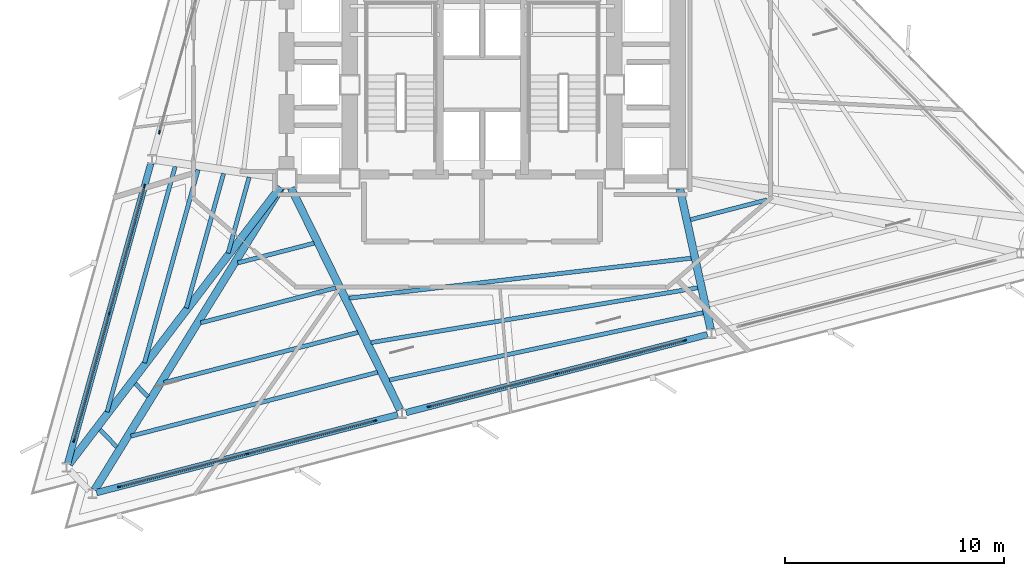
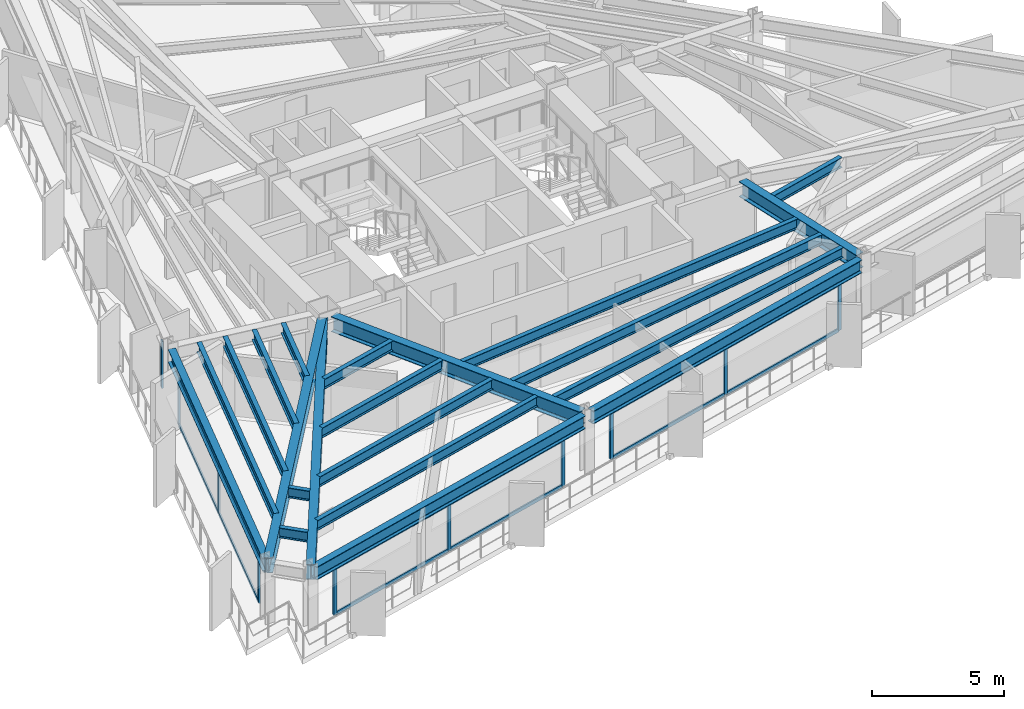
# One storey, part 2 of 11: 22 members, 21 beams, 4 elements without a shape of their own.
"""IFC4 building model written with IfcOpenShell, lengths in metres."""

import ifcopenshell
import ifcopenshell.guid

model = None  # the IFC model being written
_history = None  # IfcOwnerHistory: only IFC2X3 demands one
_inside = {}  # id of a spatial element -> (the spatial element, [elements in it])
_under = {}  # id of a project, library or spatial element -> (it, [spatial elements below it])
_declared = {}  # id of a project -> (the project, [libraries it declares])
_typed = {}  # id of a type object -> (the type object, [elements of that type])
_made_of = {}  # id of a material, layer set ... -> (it, [elements and type objects made of it])


def new_model(schema):
    """Start an empty IFC model of exactly this schema.

    Asked for "IFC4X3", IfcOpenShell would pick the latest addendum, in which some entities
    have other attributes; the version numbers below select the first issue.
    IFC2X3 requires an IfcOwnerHistory on every rooted entity: one is made here for all.
    """
    global model, _history
    if schema == "IFC4X3":
        model = ifcopenshell.file(schema_version=(4, 3, 0, 0))
    else:
        model = ifcopenshell.file(schema=schema)
    _inside.clear()
    _under.clear()
    _declared.clear()
    _typed.clear()
    _made_of.clear()
    _history = None
    if model.schema == "IFC2X3":
        org = make("IfcOrganization", Name="unknown")
        user = make(
            "IfcPersonAndOrganization",
            ThePerson=make("IfcPerson", FamilyName="unknown"),
            TheOrganization=org,
        )
        app = make(
            "IfcApplication",
            ApplicationDeveloper=org,
            Version="unknown",
            ApplicationFullName="unknown",
            ApplicationIdentifier="unknown",
        )
        _history = make(
            "IfcOwnerHistory",
            OwningUser=user,
            OwningApplication=app,
            ChangeAction="ADDED",
            CreationDate=0,
        )
    return model


def make(cls, **values):
    """One entity of the class cls with the attributes given. An attribute that is None is left unset."""
    return model.create_entity(
        cls, **{name: value for name, value in values.items() if value is not None}
    )


def rooted(cls, **values):
    """An entity with a GlobalId (a new one), such as an element, a storey or a relation."""
    return make(cls, GlobalId=ifcopenshell.guid.new(), OwnerHistory=_history, **values)


def si_unit(unit_type, name, prefix=None):
    """IfcSIUnit, for example si_unit("LENGTHUNIT", "METRE", prefix="MILLI")."""
    return make("IfcSIUnit", UnitType=unit_type, Prefix=prefix, Name=name)


def assignment(units):
    """IfcUnitAssignment: the units of a project."""
    return None if units is None else make("IfcUnitAssignment", Units=units)


def point(xyz):
    """IfcCartesianPoint."""
    return None if xyz is None else make("IfcCartesianPoint", Coordinates=xyz)


def direction(xyz):
    """IfcDirection."""
    return None if xyz is None else make("IfcDirection", DirectionRatios=xyz)


def frame(location, z_axis=None, x_axis=None):
    """IfcAxis2Placement3D, a coordinate frame: its origin and axes. An axis left out is left unset."""
    return make(
        "IfcAxis2Placement3D",
        Location=point(location),
        Axis=direction(z_axis),
        RefDirection=direction(x_axis),
    )


def frame_2d(location, x_axis=None):
    """IfcAxis2Placement2D, a coordinate frame in the plane: its origin and x axis."""
    return make(
        "IfcAxis2Placement2D", Location=point(location), RefDirection=direction(x_axis)
    )


def origin():
    """The frame at (0, 0, 0) with its axes left unset."""
    return frame((0.0, 0.0, 0.0))


def origin_2d():
    """The frame at (0, 0) in the plane with its x axis left unset."""
    return frame_2d((0.0, 0.0))


def place(relative_to, where):
    """IfcLocalPlacement: puts the frame where relative to a parent placement (None: the world)."""
    return make(
        "IfcLocalPlacement", PlacementRelTo=relative_to, RelativePlacement=where
    )


def context(
    kind, dimensions, precision=None, world=None, true_north=None, identifier=None
):
    """IfcGeometricRepresentationContext, for example the 3D "Model" context."""
    return make(
        "IfcGeometricRepresentationContext",
        ContextIdentifier=identifier,
        ContextType=kind,
        CoordinateSpaceDimension=dimensions,
        Precision=precision,
        WorldCoordinateSystem=world,
        TrueNorth=true_north,
    )


def subcontext(parent, identifier, kind, view, scale=None):
    """IfcGeometricRepresentationSubContext, for example "Body" below "Model"."""
    return make(
        "IfcGeometricRepresentationSubContext",
        ContextIdentifier=identifier,
        ContextType=kind,
        ParentContext=parent,
        TargetScale=scale,
        TargetView=view,
    )


def project(units=None, contexts=None):
    """IfcProject with its units and contexts."""
    return rooted(
        "IfcProject",
        Name="project",
        RepresentationContexts=contexts,
        UnitsInContext=assignment(units),
    )


def spatial(cls, under=None, at=None, **own):
    """A site, building, storey or space (cls), placed at a placement, below another one or the project."""
    s = rooted(cls, ObjectPlacement=at, **own)
    if under is not None:
        _under.setdefault(under.id(), (under, []))[1].append(s)
    return s


def profile(cls, at=None, kind="AREA", **sizes):
    """A parametric profile (cls). Its sizes go by their IFC names, for example OverallWidth=200.0."""
    return make(cls, ProfileType=kind, Position=at, **sizes)


def rectangle(**sizes):
    """IfcRectangleProfileDef."""
    return profile("IfcRectangleProfileDef", **sizes)


def i_section(**sizes):
    """IfcIShapeProfileDef."""
    return profile("IfcIShapeProfileDef", **sizes)


def extrude(swept, where, along, depth):
    """IfcExtrudedAreaSolid: the profile swept, set in the frame where, extruded along a direction by depth."""
    return make(
        "IfcExtrudedAreaSolid",
        SweptArea=swept,
        Position=where,
        ExtrudedDirection=direction(along),
        Depth=depth,
    )


def shape(context_of_items, identifier, shape_type, items):
    """IfcShapeRepresentation: the items that make up one representation, for example the "Body"."""
    return make(
        "IfcShapeRepresentation",
        ContextOfItems=context_of_items,
        RepresentationIdentifier=identifier,
        RepresentationType=shape_type,
        Items=items,
    )


def material(Name=None, Category=None):
    """IfcMaterial."""
    return make("IfcMaterial", Name=Name, Category=Category)


def layer(
    of_material, thickness, ventilated=None, Name=None, Category=None, Priority=None
):
    """IfcMaterialLayer: one layer of a wall or slab, of a material (None: an air gap)."""
    return make(
        "IfcMaterialLayer",
        Material=of_material,
        LayerThickness=thickness,
        IsVentilated=ventilated,
        Name=Name,
        Category=Category,
        Priority=Priority,
    )


def layer_set(layers, Name=None):
    """IfcMaterialLayerSet."""
    return make("IfcMaterialLayerSet", MaterialLayers=layers, LayerSetName=Name)


def material_profile(
    of_material, cross_section, Name=None, Category=None, Priority=None
):
    """IfcMaterialProfile: a cross section and its material."""
    return make(
        "IfcMaterialProfile",
        Name=Name,
        Material=of_material,
        Profile=cross_section,
        Priority=Priority,
        Category=Category,
    )


def profile_set(profiles, Name=None, composite=None):
    """IfcMaterialProfileSet."""
    return make(
        "IfcMaterialProfileSet",
        Name=Name,
        MaterialProfiles=profiles,
        CompositeProfile=composite,
    )


def made_of(thing, what):
    """Note that an element or type object is made of a material, layer set ...; save() writes the relation."""
    if what is not None:
        _made_of.setdefault(what.id(), (what, []))[1].append(thing)
    return thing


def type_object(cls, material=None, **own):
    """A type object (cls), such as IfcWallType, which elements share."""
    return made_of(rooted(cls, **own), material)


def element(
    cls,
    number,
    at=None,
    inside=None,
    cuts=None,
    type_object=None,
    material=None,
    context=None,
    identifier="Body",
    shape_type=None,
    held_by="IfcProductDefinitionShape",
    body=None,
    shapes=None,
    **own,
):
    """One element of the class cls, such as IfcWall. Its Tag is "e" and its number.

    at: its placement. inside: the storey or other place that contains it. cuts: it is an
    opening in that element (IfcRelVoidsElement). A single representation is given by context,
    identifier, shape_type and body (its items); several are given by shapes. held_by: the class
    of the entity that holds the representations. save() writes the other relations.
    """
    e = rooted(cls, Tag="e%d" % number, ObjectPlacement=at, **own)
    if body is not None:
        shapes = [shape(context, identifier, shape_type, body)]
    if shapes is not None:
        e.Representation = make(held_by, Representations=shapes)
    if inside is not None:
        _inside.setdefault(inside.id(), (inside, []))[1].append(e)
    if cuts is not None:
        rooted(
            "IfcRelVoidsElement", RelatingBuildingElement=cuts, RelatedOpeningElement=e
        )
    if type_object is not None:
        _typed.setdefault(type_object.id(), (type_object, []))[1].append(e)
    return made_of(e, material)


def aggregate(whole, parts):
    """IfcRelAggregates: a whole, such as a stair, and the parts it consists of."""
    return rooted("IfcRelAggregates", RelatingObject=whole, RelatedObjects=parts)


def save(model, path):
    """Write the relations noted so far, then the file.

    IfcRelAggregates (storeys below a building ...), IfcRelContainedInSpatialStructure (elements
    in a storey), IfcRelDefinesByType, IfcRelAssociatesMaterial and IfcRelDeclares: one each for
    every whole, place, type object, material and project.
    """
    for whole, parts in _under.values():
        aggregate(whole, parts)
    for where, things in _inside.values():
        rooted(
            "IfcRelContainedInSpatialStructure",
            RelatedElements=things,
            RelatingStructure=where,
        )
    for kind, things in _typed.values():
        rooted("IfcRelDefinesByType", RelatedObjects=things, RelatingType=kind)
    for what, things in _made_of.values():
        rooted("IfcRelAssociatesMaterial", RelatedObjects=things, RelatingMaterial=what)
    for by, libraries in _declared.values():
        rooted("IfcRelDeclares", RelatingContext=by, RelatedDefinitions=libraries)
    model.write(path)


model = new_model("IFC4")

# Units and contexts
model_context = context("Model", 3, precision=1e-05, world=origin(), true_north=direction((0.0, 1.0)))
body_context = subcontext(model_context, "Body", "Model", "MODEL_VIEW")
ifc_project = project(units=[si_unit("LENGTHUNIT", "METRE"), si_unit("AREAUNIT", "SQUARE_METRE"), si_unit("VOLUMEUNIT", "CUBIC_METRE"), si_unit("PLANEANGLEUNIT", "RADIAN"), si_unit("MASSUNIT", "GRAM", prefix="KILO")], contexts=[model_context])

# Site, building, storey
site_placement = place(None, origin())
site = spatial("IfcSite", under=ifc_project, at=site_placement, CompositionType="ELEMENT")
building_placement = place(site_placement, origin())
building = spatial("IfcBuilding", under=site, at=building_placement, Name="Rocaltana Carrier Exchange", CompositionType="ELEMENT")
storey_placement = place(building_placement, frame((0.0, 0.0, 91.679931640625)))
storey = spatial("IfcBuildingStorey", under=building, at=storey_placement, Name="L28", CompositionType="ELEMENT", Elevation=91.679931640625)

# Curtain wall, member
ifc_material_1 = material(Name="Aluminium 6063-T6", Category="aluminium")
ifc_layer = layer(ifc_material_1, 0.1650390625)
ifc_layer_set = layer_set([ifc_layer], Name="Aluminium 6063-T6")
curtain_wall_type = type_object("IfcCurtainWallType", Name="Lower-Mid Stepped Curtain Wall CW-02", PredefinedType="NOTDEFINED", material=ifc_layer_set)
curtain_wall_1_placement = place(storey_placement, origin())
curtain_wall_1 = element("IfcCurtainWall", 1, at=curtain_wall_1_placement, inside=storey, type_object=curtain_wall_type, Name="L28 CW-02 Run CW-L28-F2S2", PredefinedType="NOTDEFINED")
ifc_material_2 = material(Name="Aluminium 6063-T6", Category="aluminium")
ifc_material_profile_1 = material_profile(ifc_material_2, rectangle(XDim=0.06494140625, YDim=0.1650390625, at=origin_2d()), Name="AL-65X165")
ifc_profile_set_1 = profile_set([ifc_material_profile_1], Name="Aluminium 6063-T6")
member_type_1 = type_object("IfcMemberType", Name="CW-02 Mullion AL-65X165", PredefinedType="MULLION", material=ifc_profile_set_1)
member_1_placement = place(storey_placement, frame((-14.761962890625, -2.16796875, 0.0), z_axis=(0.0, 0.0, 1.0), x_axis=(0.963630586954, -0.267237893807, 0.0)))
member_1 = element("IfcMember", 2, at=member_1_placement, type_object=member_type_1, Name="CW-02 mullion 3", PredefinedType="MULLION", context=body_context, shape_type="SweptSolid", body=[
    extrude(rectangle(XDim=0.06494140625, YDim=0.1650390625, at=origin_2d()), origin(), (0.0, 0.0, 1.0), 2.16796875),
])
aggregate(curtain_wall_1, [member_1])

# Curtain wall, members
curtain_wall_2_placement = place(storey_placement, origin())
curtain_wall_2 = element("IfcCurtainWall", 3, at=curtain_wall_2_placement, inside=storey, type_object=curtain_wall_type, Name="L28 CW-02 Run CW-L28-F2S3", PredefinedType="NOTDEFINED")
member_2_placement = place(storey_placement, frame((-15.447265625, -4.6396484375, 0.0), z_axis=(0.0, 0.0, 1.0), x_axis=(0.963629053146, -0.267243424491, 0.0)))
member_2 = element("IfcMember", 4, at=member_2_placement, type_object=member_type_1, Name="CW-02 mullion 1", PredefinedType="MULLION", context=body_context, shape_type="SweptSolid", body=[
    extrude(rectangle(XDim=0.06494140625, YDim=0.1650390625, at=origin_2d()), origin(), (0.0, 0.0, 1.0), 2.16796875),
])
member_3_placement = place(storey_placement, frame((-17.059814453125, -10.45458984375, 0.0), z_axis=(0.0, 0.0, 1.0), x_axis=(0.963629053146, -0.267243424491, 0.0)))
member_3 = element("IfcMember", 5, at=member_3_placement, type_object=member_type_1, Name="CW-02 mullion 2", PredefinedType="MULLION", context=body_context, shape_type="SweptSolid", body=[
    extrude(rectangle(XDim=0.06494140625, YDim=0.1650390625, at=origin_2d()), origin(), (0.0, 0.0, 1.0), 2.16796875),
])
member_4_placement = place(storey_placement, frame((-18.672607421875, -16.269287109375, 0.0), z_axis=(0.0, 0.0, 1.0), x_axis=(0.963629053146, -0.267243424491, 0.0)))
member_4 = element("IfcMember", 6, at=member_4_placement, type_object=member_type_1, Name="CW-02 mullion 3", PredefinedType="MULLION", context=body_context, shape_type="SweptSolid", body=[
    extrude(rectangle(XDim=0.06494140625, YDim=0.1650390625, at=origin_2d()), origin(), (0.0, 0.0, 1.0), 2.16796875),
])

curtain_wall_3_placement = place(storey_placement, origin())
curtain_wall_3 = element("IfcCurtainWall", 7, at=curtain_wall_3_placement, inside=storey, type_object=curtain_wall_type, Name="L28 CW-02 Run CW-L28-F3S1", PredefinedType="NOTDEFINED")
member_5_placement = place(storey_placement, frame((-16.592529296875, -18.3857421875, 0.0), z_axis=(0.0, 0.0, 1.0), x_axis=(-0.250377760692, 0.968148220548, 0.0)))
member_5 = element("IfcMember", 8, at=member_5_placement, type_object=member_type_1, Name="CW-02 mullion 1", PredefinedType="MULLION", context=body_context, shape_type="SweptSolid", body=[
    extrude(rectangle(XDim=0.06494140625, YDim=0.1650390625, at=origin_2d()), origin(), (0.0, 0.0, 1.0), 2.16796875),
])
member_6_placement = place(storey_placement, frame((-10.75048828125, -16.874755859375, 0.0), z_axis=(0.0, 0.0, 1.0), x_axis=(-0.250377760692, 0.968148220548, 0.0)))
member_6 = element("IfcMember", 9, at=member_6_placement, type_object=member_type_1, Name="CW-02 mullion 2", PredefinedType="MULLION", context=body_context, shape_type="SweptSolid", body=[
    extrude(rectangle(XDim=0.06494140625, YDim=0.1650390625, at=origin_2d()), origin(), (0.0, 0.0, 1.0), 2.16796875),
])
member_7_placement = place(storey_placement, frame((-4.90869140625, -15.364013671875, 0.0), z_axis=(0.0, 0.0, 1.0), x_axis=(-0.250377760692, 0.968148220548, 0.0)))
member_7 = element("IfcMember", 10, at=member_7_placement, type_object=member_type_1, Name="CW-02 mullion 3", PredefinedType="MULLION", context=body_context, shape_type="SweptSolid", body=[
    extrude(rectangle(XDim=0.06494140625, YDim=0.1650390625, at=origin_2d()), origin(), (0.0, 0.0, 1.0), 2.16796875),
])

curtain_wall_4_placement = place(storey_placement, origin())
curtain_wall_4 = element("IfcCurtainWall", 11, at=curtain_wall_4_placement, inside=storey, type_object=curtain_wall_type, Name="L28 CW-02 Run CW-L28-F3S2", PredefinedType="NOTDEFINED")
member_8_placement = place(storey_placement, frame((-2.42529296875, -14.7216796875, 0.0), z_axis=(0.0, 0.0, 1.0), x_axis=(-0.250377760692, 0.968148220548, 0.0)))
member_8 = element("IfcMember", 12, at=member_8_placement, type_object=member_type_1, Name="CW-02 mullion 1", PredefinedType="MULLION", context=body_context, shape_type="SweptSolid", body=[
    extrude(rectangle(XDim=0.06494140625, YDim=0.1650390625, at=origin_2d()), origin(), (0.0, 0.0, 1.0), 2.16796875),
])
member_9_placement = place(storey_placement, frame((3.41650390625, -13.2109375, 0.0), z_axis=(0.0, 0.0, 1.0), x_axis=(-0.250377760692, 0.968148220548, 0.0)))
member_9 = element("IfcMember", 13, at=member_9_placement, type_object=member_type_1, Name="CW-02 mullion 2", PredefinedType="MULLION", context=body_context, shape_type="SweptSolid", body=[
    extrude(rectangle(XDim=0.06494140625, YDim=0.1650390625, at=origin_2d()), origin(), (0.0, 0.0, 1.0), 2.16796875),
])
member_10_placement = place(storey_placement, frame((9.258544921875, -11.7001953125, 0.0), z_axis=(0.0, 0.0, 1.0), x_axis=(-0.250377760692, 0.968148220548, 0.0)))
member_10 = element("IfcMember", 14, at=member_10_placement, type_object=member_type_1, Name="CW-02 mullion 3", PredefinedType="MULLION", context=body_context, shape_type="SweptSolid", body=[
    extrude(rectangle(XDim=0.06494140625, YDim=0.1650390625, at=origin_2d()), origin(), (0.0, 0.0, 1.0), 2.16796875),
])

# Member
ifc_material_3 = material(Name="Aluminium 6063-T6", Category="aluminium")
ifc_material_profile_2 = material_profile(ifc_material_3, rectangle(XDim=0.06494140625, YDim=0.1650390625, at=origin_2d()), Name="AL-65X165")
ifc_profile_set_2 = profile_set([ifc_material_profile_2], Name="Aluminium 6063-T6")
member_type_2 = type_object("IfcMemberType", Name="CW-02 Transom AL-65X165", PredefinedType="USERDEFINED", material=ifc_profile_set_2)
member_11_placement = place(storey_placement, frame((-15.4560546875, -4.671142578125, 0.032470703125), z_axis=(-0.26724725359, -0.963627991213, 0.0), x_axis=(0.963627991213, -0.26724725359, 0.0)))
member_11 = element("IfcMember", 15, at=member_11_placement, type_object=member_type_2, Name="CW-02 transom 1.1", ObjectType="TRANSOM", PredefinedType="USERDEFINED", context=body_context, shape_type="SweptSolid", body=[
    extrude(rectangle(XDim=0.06494140625, YDim=0.1650390625, at=origin_2d()), origin(), (0.0, 0.0, 1.0), 5.968994140625),
])

member_12_placement = place(storey_placement, frame((-15.4560546875, -4.671142578125, 2.135498046875), z_axis=(-0.26724725359, -0.963627991213, 0.0), x_axis=(0.963627991213, -0.26724725359, 0.0)))
member_12 = element("IfcMember", 16, at=member_12_placement, type_object=member_type_2, Name="CW-02 transom 1.2", ObjectType="TRANSOM", PredefinedType="USERDEFINED", context=body_context, shape_type="SweptSolid", body=[
    extrude(rectangle(XDim=0.06494140625, YDim=0.1650390625, at=origin_2d()), origin(), (0.0, 0.0, 1.0), 5.968994140625),
])

member_13_placement = place(storey_placement, frame((-17.068603515625, -10.48583984375, 0.032470703125), z_axis=(-0.267236720875, -0.963630912235, 0.0), x_axis=(0.963630912235, -0.267236720875, 0.0)))
member_13 = element("IfcMember", 17, at=member_13_placement, type_object=member_type_2, Name="CW-02 transom 2.1", ObjectType="TRANSOM", PredefinedType="USERDEFINED", context=body_context, shape_type="SweptSolid", body=[
    extrude(rectangle(XDim=0.06494140625, YDim=0.1650390625, at=origin_2d()), origin(), (0.0, 0.0, 1.0), 5.96923828125),
])

member_14_placement = place(storey_placement, frame((-17.068603515625, -10.48583984375, 2.135498046875), z_axis=(-0.267236720875, -0.963630912235, 0.0), x_axis=(0.963630912235, -0.267236720875, 0.0)))
member_14 = element("IfcMember", 18, at=member_14_placement, type_object=member_type_2, Name="CW-02 transom 2.2", ObjectType="TRANSOM", PredefinedType="USERDEFINED", context=body_context, shape_type="SweptSolid", body=[
    extrude(rectangle(XDim=0.06494140625, YDim=0.1650390625, at=origin_2d()), origin(), (0.0, 0.0, 1.0), 5.96923828125),
])

aggregate(curtain_wall_2, [member_2, member_3, member_4, member_11, member_12, member_13, member_14])

member_15_placement = place(storey_placement, frame((-16.56103515625, -18.37744140625, 0.032470703125), z_axis=(0.968154945337, 0.250351756175, 0.0), x_axis=(-0.250351756175, 0.968154945337, 0.0)))
member_15 = element("IfcMember", 19, at=member_15_placement, type_object=member_type_2, Name="CW-02 transom 1.1", ObjectType="TRANSOM", PredefinedType="USERDEFINED", context=body_context, shape_type="SweptSolid", body=[
    extrude(rectangle(XDim=0.06494140625, YDim=0.1650390625, at=origin_2d()), origin(), (0.0, 0.0, 1.0), 5.96923828125),
])

member_16_placement = place(storey_placement, frame((-16.56103515625, -18.37744140625, 2.135498046875), z_axis=(0.968154945337, 0.250351756175, 0.0), x_axis=(-0.250351756175, 0.968154945337, 0.0)))
member_16 = element("IfcMember", 20, at=member_16_placement, type_object=member_type_2, Name="CW-02 transom 1.2", ObjectType="TRANSOM", PredefinedType="USERDEFINED", context=body_context, shape_type="SweptSolid", body=[
    extrude(rectangle(XDim=0.06494140625, YDim=0.1650390625, at=origin_2d()), origin(), (0.0, 0.0, 1.0), 5.96923828125),
])

member_17_placement = place(storey_placement, frame((-10.71923828125, -16.86669921875, 0.032470703125), z_axis=(0.968145031253, 0.250390092575, 0.0), x_axis=(-0.250390092575, 0.968145031253, 0.0)))
member_17 = element("IfcMember", 21, at=member_17_placement, type_object=member_type_2, Name="CW-02 transom 2.1", ObjectType="TRANSOM", PredefinedType="USERDEFINED", context=body_context, shape_type="SweptSolid", body=[
    extrude(rectangle(XDim=0.06494140625, YDim=0.1650390625, at=origin_2d()), origin(), (0.0, 0.0, 1.0), 5.96923828125),
])

member_18_placement = place(storey_placement, frame((-10.71923828125, -16.86669921875, 2.135498046875), z_axis=(0.968145031253, 0.250390092575, 0.0), x_axis=(-0.250390092575, 0.968145031253, 0.0)))
member_18 = element("IfcMember", 22, at=member_18_placement, type_object=member_type_2, Name="CW-02 transom 2.2", ObjectType="TRANSOM", PredefinedType="USERDEFINED", context=body_context, shape_type="SweptSolid", body=[
    extrude(rectangle(XDim=0.06494140625, YDim=0.1650390625, at=origin_2d()), origin(), (0.0, 0.0, 1.0), 5.96923828125),
])

aggregate(curtain_wall_3, [member_5, member_6, member_7, member_15, member_16, member_17, member_18])

member_19_placement = place(storey_placement, frame((-2.393798828125, -14.713623046875, 0.032470703125), z_axis=(0.968145031253, 0.250390092575, 0.0), x_axis=(-0.250390092575, 0.968145031253, 0.0)))
member_19 = element("IfcMember", 23, at=member_19_placement, type_object=member_type_2, Name="CW-02 transom 1.1", ObjectType="TRANSOM", PredefinedType="USERDEFINED", context=body_context, shape_type="SweptSolid", body=[
    extrude(rectangle(XDim=0.06494140625, YDim=0.1650390625, at=origin_2d()), origin(), (0.0, 0.0, 1.0), 5.96923828125),
])

member_20_placement = place(storey_placement, frame((-2.393798828125, -14.713623046875, 2.135498046875), z_axis=(0.968145031253, 0.250390092575, 0.0), x_axis=(-0.250390092575, 0.968145031253, 0.0)))
member_20 = element("IfcMember", 24, at=member_20_placement, type_object=member_type_2, Name="CW-02 transom 1.2", ObjectType="TRANSOM", PredefinedType="USERDEFINED", context=body_context, shape_type="SweptSolid", body=[
    extrude(rectangle(XDim=0.06494140625, YDim=0.1650390625, at=origin_2d()), origin(), (0.0, 0.0, 1.0), 5.96923828125),
])

member_21_placement = place(storey_placement, frame((3.447998046875, -13.202880859375, 0.032470703125), z_axis=(0.968145031253, 0.250390092575, 0.0), x_axis=(-0.250390092575, 0.968145031253, 0.0)))
member_21 = element("IfcMember", 25, at=member_21_placement, type_object=member_type_2, Name="CW-02 transom 2.1", ObjectType="TRANSOM", PredefinedType="USERDEFINED", context=body_context, shape_type="SweptSolid", body=[
    extrude(rectangle(XDim=0.06494140625, YDim=0.1650390625, at=origin_2d()), origin(), (0.0, 0.0, 1.0), 5.96923828125),
])

member_22_placement = place(storey_placement, frame((3.447998046875, -13.202880859375, 2.135498046875), z_axis=(0.968145031253, 0.250390092575, 0.0), x_axis=(-0.250390092575, 0.968145031253, 0.0)))
member_22 = element("IfcMember", 26, at=member_22_placement, type_object=member_type_2, Name="CW-02 transom 2.2", ObjectType="TRANSOM", PredefinedType="USERDEFINED", context=body_context, shape_type="SweptSolid", body=[
    extrude(rectangle(XDim=0.06494140625, YDim=0.1650390625, at=origin_2d()), origin(), (0.0, 0.0, 1.0), 5.96923828125),
])

aggregate(curtain_wall_4, [member_8, member_9, member_10, member_19, member_20, member_21, member_22])

# Beams
ifc_material_4 = material(Name="Steel S355", Category="steel")
ifc_material_profile_3 = material_profile(ifc_material_4, i_section(OverallWidth=0.193115234375, OverallDepth=0.466064453125, WebThickness=0.011474609375, FlangeThickness=0.01904296875, FilletRadius=0.013916015625, at=origin_2d()), Name="W18X65")
ifc_profile_set_3 = profile_set([ifc_material_profile_3], Name="Steel S355")
beam_type_1 = type_object("IfcBeamType", Name="Floor Joist W18X65", PredefinedType="JOIST", material=ifc_profile_set_3)
beam_1_placement = place(storey_placement, frame((-10.65771484375, -4.223388671875, 2.55517578125), z_axis=(-0.267214572506, -0.963637054207, 0.0), x_axis=(0.963637054207, -0.267214572506, 0.0)))
element("IfcBeam", 27, at=beam_1_placement, inside=storey, type_object=beam_type_1, Name="FJ-L28-07-1", PredefinedType="JOIST", context=body_context, shape_type="SweptSolid", body=[
    extrude(i_section(OverallWidth=0.193115234375, OverallDepth=0.466064453125, WebThickness=0.011474609375, FlangeThickness=0.01904296875, FilletRadius=0.013916015625, at=origin_2d()), origin(), (0.0, 0.0, 1.0), 3.60791015625),
])
beam_2_placement = place(storey_placement, frame((-11.826904296875, -4.052978515625, 2.55517578125), z_axis=(-0.267247660275, -0.963627878425, 0.0), x_axis=(0.963627878425, -0.267247660275, 0.0)))
element("IfcBeam", 28, at=beam_2_placement, inside=storey, type_object=beam_type_1, Name="FJ-L28-07-2", PredefinedType="JOIST", context=body_context, shape_type="SweptSolid", body=[
    extrude(i_section(OverallWidth=0.193115234375, OverallDepth=0.466064453125, WebThickness=0.011474609375, FlangeThickness=0.01904296875, FilletRadius=0.013916015625, at=origin_2d()), origin(), (0.0, 0.0, 1.0), 6.388427734375),
])
beam_3_placement = place(storey_placement, frame((-12.996337890625, -3.8828125, 2.55517578125), z_axis=(-0.267235954776, -0.963631124692, 0.0), x_axis=(0.963631124692, -0.267235954776, 0.0)))
element("IfcBeam", 29, at=beam_3_placement, inside=storey, type_object=beam_type_1, Name="FJ-L28-07-3", PredefinedType="JOIST", context=body_context, shape_type="SweptSolid", body=[
    extrude(i_section(OverallWidth=0.193115234375, OverallDepth=0.466064453125, WebThickness=0.011474609375, FlangeThickness=0.01904296875, FilletRadius=0.013916015625, at=origin_2d()), origin(), (0.0, 0.0, 1.0), 9.168701171875),
])
beam_4_placement = place(storey_placement, frame((-14.04248046875, -3.73046875, 2.55517578125), z_axis=(-0.267254953873, -0.963625855626, 0.0), x_axis=(0.963625855626, -0.267254953873, 0.0)))
element("IfcBeam", 30, at=beam_4_placement, inside=storey, type_object=beam_type_1, Name="FJ-L28-07-4", PredefinedType="JOIST", context=body_context, shape_type="SweptSolid", body=[
    extrude(i_section(OverallWidth=0.193115234375, OverallDepth=0.466064453125, WebThickness=0.011474609375, FlangeThickness=0.01904296875, FilletRadius=0.013916015625, at=origin_2d()), origin(), (0.0, 0.0, 1.0), 11.656494140625),
])
beam_5_placement = place(storey_placement, frame((-15.87548828125, -13.666015625, 2.55517578125), z_axis=(0.700949450069, -0.713210956484, 0.0), x_axis=(0.713210956484, 0.700949450069, 0.0)))
element("IfcBeam", 31, at=beam_5_placement, inside=storey, type_object=beam_type_1, Name="FJ-L28-08-3", PredefinedType="JOIST", context=body_context, shape_type="SweptSolid", body=[
    extrude(i_section(OverallWidth=0.193115234375, OverallDepth=0.466064453125, WebThickness=0.011474609375, FlangeThickness=0.01904296875, FilletRadius=0.013916015625, at=origin_2d()), origin(), (0.0, 0.0, 1.0), 0.836181640625),
])
beam_6_placement = place(storey_placement, frame((-17.48583984375, -15.77880859375, 2.55517578125), z_axis=(0.70100898123, -0.713152443896, 0.0), x_axis=(0.713152443896, 0.70100898123, 0.0)))
element("IfcBeam", 32, at=beam_6_placement, inside=storey, type_object=beam_type_1, Name="FJ-L28-08-4", PredefinedType="JOIST", context=body_context, shape_type="SweptSolid", body=[
    extrude(i_section(OverallWidth=0.193115234375, OverallDepth=0.466064453125, WebThickness=0.011474609375, FlangeThickness=0.01904296875, FilletRadius=0.013916015625, at=origin_2d()), origin(), (0.0, 0.0, 1.0), 1.105712890625),
])
beam_7_placement = place(storey_placement, frame((-11.1826171875, -8.14697265625, 2.55517578125), z_axis=(0.968131920636, 0.250440779917, 0.0), x_axis=(-0.250440779917, 0.968131920636, 0.0)))
element("IfcBeam", 33, at=beam_7_placement, inside=storey, type_object=beam_type_1, Name="FJ-L28-09-1", PredefinedType="JOIST", context=body_context, shape_type="SweptSolid", body=[
    extrude(i_section(OverallWidth=0.193115234375, OverallDepth=0.466064453125, WebThickness=0.011474609375, FlangeThickness=0.01904296875, FilletRadius=0.013916015625, at=origin_2d()), origin(), (0.0, 0.0, 1.0), 3.60791015625),
])
beam_8_placement = place(storey_placement, frame((-12.87060546875, -10.88427734375, 2.55517578125), z_axis=(0.968143557315, 0.250395791558, 0.0), x_axis=(-0.250395791558, 0.968143557315, 0.0)))
element("IfcBeam", 34, at=beam_8_placement, inside=storey, type_object=beam_type_1, Name="FJ-L28-09-2", PredefinedType="JOIST", context=body_context, shape_type="SweptSolid", body=[
    extrude(i_section(OverallWidth=0.193115234375, OverallDepth=0.466064453125, WebThickness=0.011474609375, FlangeThickness=0.01904296875, FilletRadius=0.013916015625, at=origin_2d()), origin(), (0.0, 0.0, 1.0), 6.388427734375),
])
beam_9_placement = place(storey_placement, frame((-14.55859375, -13.62158203125, 2.55517578125), z_axis=(0.968140011266, 0.250409501786, 0.0), x_axis=(-0.250409501786, 0.968140011266, 0.0)))
element("IfcBeam", 35, at=beam_9_placement, inside=storey, type_object=beam_type_1, Name="FJ-L28-09-3", PredefinedType="JOIST", context=body_context, shape_type="SweptSolid", body=[
    extrude(i_section(OverallWidth=0.193115234375, OverallDepth=0.466064453125, WebThickness=0.011474609375, FlangeThickness=0.01904296875, FilletRadius=0.013916015625, at=origin_2d()), origin(), (0.0, 0.0, 1.0), 9.16845703125),
])
beam_10_placement = place(storey_placement, frame((-16.069091796875, -16.070556640625, 2.55517578125), z_axis=(0.968149362607, 0.250373344596, 0.0), x_axis=(-0.250373344596, 0.968149362607, 0.0)))
element("IfcBeam", 36, at=beam_10_placement, inside=storey, type_object=beam_type_1, Name="FJ-L28-09-4", PredefinedType="JOIST", context=body_context, shape_type="SweptSolid", body=[
    extrude(i_section(OverallWidth=0.193115234375, OverallDepth=0.466064453125, WebThickness=0.011474609375, FlangeThickness=0.01904296875, FilletRadius=0.013916015625, at=origin_2d()), origin(), (0.0, 0.0, 1.0), 11.656494140625),
])
beam_11_placement = place(storey_placement, frame((-6.085205078125, -9.759033203125, 2.55517578125), z_axis=(0.993245745527, 0.116029690132, 0.0), x_axis=(-0.116029690132, 0.993245745527, 0.0)))
element("IfcBeam", 37, at=beam_11_placement, inside=storey, type_object=beam_type_1, Name="FJ-L28-10-2", PredefinedType="JOIST", context=body_context, shape_type="SweptSolid", body=[
    extrude(i_section(OverallWidth=0.193115234375, OverallDepth=0.466064453125, WebThickness=0.011474609375, FlangeThickness=0.01904296875, FilletRadius=0.013916015625, at=origin_2d()), origin(), (0.0, 0.0, 1.0), 15.761962890625),
])
beam_12_placement = place(storey_placement, frame((-5.082763671875, -11.791748046875, 2.55517578125), z_axis=(0.986215738721, 0.165464548161, 0.0), x_axis=(-0.165464548161, 0.986215738721, 0.0)))
element("IfcBeam", 38, at=beam_12_placement, inside=storey, type_object=beam_type_1, Name="FJ-L28-10-3", PredefinedType="JOIST", context=body_context, shape_type="SweptSolid", body=[
    extrude(i_section(OverallWidth=0.193115234375, OverallDepth=0.466064453125, WebThickness=0.011474609375, FlangeThickness=0.01904296875, FilletRadius=0.013916015625, at=origin_2d()), origin(), (0.0, 0.0, 1.0), 15.15771484375),
])
beam_13_placement = place(storey_placement, frame((-4.239013671875, -13.5029296875, 2.55517578125), z_axis=(0.977758587701, 0.209733507519, 0.0), x_axis=(-0.209733507519, 0.977758587701, 0.0)))
element("IfcBeam", 39, at=beam_13_placement, inside=storey, type_object=beam_type_1, Name="FJ-L28-10-4", PredefinedType="JOIST", context=body_context, shape_type="SweptSolid", body=[
    extrude(i_section(OverallWidth=0.193115234375, OverallDepth=0.466064453125, WebThickness=0.011474609375, FlangeThickness=0.01904296875, FilletRadius=0.013916015625, at=origin_2d()), origin(), (0.0, 0.0, 1.0), 14.680908203125),
])
beam_14_placement = place(storey_placement, frame((9.53466796875, -6.16845703125, 2.55517578125), z_axis=(0.968131920636, 0.250440779917, 0.0), x_axis=(-0.250440779917, 0.968131920636, 0.0)))
element("IfcBeam", 40, at=beam_14_placement, inside=storey, type_object=beam_type_1, Name="FJ-L28-11-1", PredefinedType="JOIST", context=body_context, shape_type="SweptSolid", body=[
    extrude(i_section(OverallWidth=0.193115234375, OverallDepth=0.466064453125, WebThickness=0.011474609375, FlangeThickness=0.01904296875, FilletRadius=0.013916015625, at=origin_2d()), origin(), (0.0, 0.0, 1.0), 3.60791015625),
])
ifc_material_5 = material(Name="Steel S355", Category="steel")
ifc_material_profile_4 = material_profile(ifc_material_5, i_section(OverallWidth=0.35498046875, OverallDepth=0.695068359375, WebThickness=0.015380859375, FlangeThickness=0.02490234375, FilletRadius=0.01806640625, at=origin_2d()), Name="W27X146")
ifc_profile_set_4 = profile_set([ifc_material_profile_4], Name="Steel S355")
beam_type_2 = type_object("IfcBeamType", Name="Radial Girder W27X146", PredefinedType="BEAM", material=ifc_profile_set_4)
beam_15_placement = place(storey_placement, frame((-9.233154296875, -4.67138671875, 2.440673828125), z_axis=(-0.606201959284, -0.795310747168, 0.0), x_axis=(0.795310747168, -0.606201959284, 0.0)))
element("IfcBeam", 41, at=beam_15_placement, inside=storey, type_object=beam_type_2, Name="RG-L28-08", PredefinedType="BEAM", context=body_context, shape_type="SweptSolid", body=[
    extrude(i_section(OverallWidth=0.35498046875, OverallDepth=0.695068359375, WebThickness=0.015380859375, FlangeThickness=0.02490234375, FilletRadius=0.01806640625, at=origin_2d()), origin(), (0.0, 0.0, 1.0), 15.938720703125),
])
beam_16_placement = place(storey_placement, frame((-9.195068359375, -4.697509765625, 2.440673828125), z_axis=(-0.52488797783, -0.851171316909, 0.0), x_axis=(0.851171316909, -0.52488797783, 0.0)))
element("IfcBeam", 42, at=beam_16_placement, inside=storey, type_object=beam_type_2, Name="RG-L28-09", PredefinedType="BEAM", context=body_context, shape_type="SweptSolid", body=[
    extrude(i_section(OverallWidth=0.35498046875, OverallDepth=0.695068359375, WebThickness=0.015380859375, FlangeThickness=0.02490234375, FilletRadius=0.01806640625, at=origin_2d()), origin(), (0.0, 0.0, 1.0), 16.260986328125),
])
beam_17_placement = place(storey_placement, frame((-8.743896484375, -4.718994140625, 2.440673828125), z_axis=(0.441287446222, -0.897365806016, 0.0), x_axis=(0.897365806016, 0.441287446222, 0.0)))
element("IfcBeam", 43, at=beam_17_placement, inside=storey, type_object=beam_type_2, Name="RG-L28-10", PredefinedType="BEAM", context=body_context, shape_type="SweptSolid", body=[
    extrude(i_section(OverallWidth=0.35498046875, OverallDepth=0.695068359375, WebThickness=0.015380859375, FlangeThickness=0.02490234375, FilletRadius=0.01806640625, at=origin_2d()), origin(), (0.0, 0.0, 1.0), 11.306640625),
])
beam_18_placement = place(storey_placement, frame((9.0498046875, -4.756103515625, 2.440673828125), z_axis=(0.213917013251, -0.976851836996, 0.0), x_axis=(0.976851836996, 0.213917013251, 0.0)))
element("IfcBeam", 44, at=beam_18_placement, inside=storey, type_object=beam_type_2, Name="RG-L28-11", PredefinedType="BEAM", context=body_context, shape_type="SweptSolid", body=[
    extrude(i_section(OverallWidth=0.35498046875, OverallDepth=0.695068359375, WebThickness=0.015380859375, FlangeThickness=0.02490234375, FilletRadius=0.01806640625, at=origin_2d()), origin(), (0.0, 0.0, 1.0), 6.581787109375),
])
ifc_material_6 = material(Name="Steel S355", Category="steel")
ifc_material_profile_5 = material_profile(ifc_material_6, i_section(OverallWidth=0.300048828125, OverallDepth=0.60009765625, WebThickness=0.015380859375, FlangeThickness=0.030029296875, FilletRadius=0.027099609375, at=origin_2d()), Name="HEB600")
ifc_profile_set_5 = profile_set([ifc_material_profile_5], Name="Steel S355")
beam_type_3 = type_object("IfcBeamType", Name="Spandrel Edge Beam HEB600", PredefinedType="SPANDREL", material=ifc_profile_set_5)
for number, where, z_axis, x_axis, name in (
    (45, (-15.157470703125, -3.5947265625, 2.488037109375), (-0.26725027467, -0.963627153358, 0.0), (0.963627153358, -0.26725027467, 0.0), "SP-L28-07"),
    (46, (-17.642578125, -18.6572265625, 2.488037109375), (0.968148846625, 0.250375339797, 0.0), (-0.250375339797, 0.968148846625, 0.0), "SP-L28-09"),
    (47, (-3.475341796875, -14.993408203125, 2.488037109375), (0.968148846625, 0.250375339797, 0.0), (-0.250375339797, 0.968148846625, 0.0), "SP-L28-10"),
):
    element("IfcBeam", number, at=place(storey_placement, frame(where, z_axis=z_axis, x_axis=x_axis)), inside=storey, type_object=beam_type_3, Name=name, PredefinedType="SPANDREL", context=body_context, shape_type="SweptSolid", body=[
        extrude(i_section(OverallWidth=0.300048828125, OverallDepth=0.60009765625, WebThickness=0.015380859375, FlangeThickness=0.030029296875, FilletRadius=0.027099609375, at=origin_2d()), origin(), (0.0, 0.0, 1.0), 14.2373046875),
    ])

save(model, "model.ifc")
